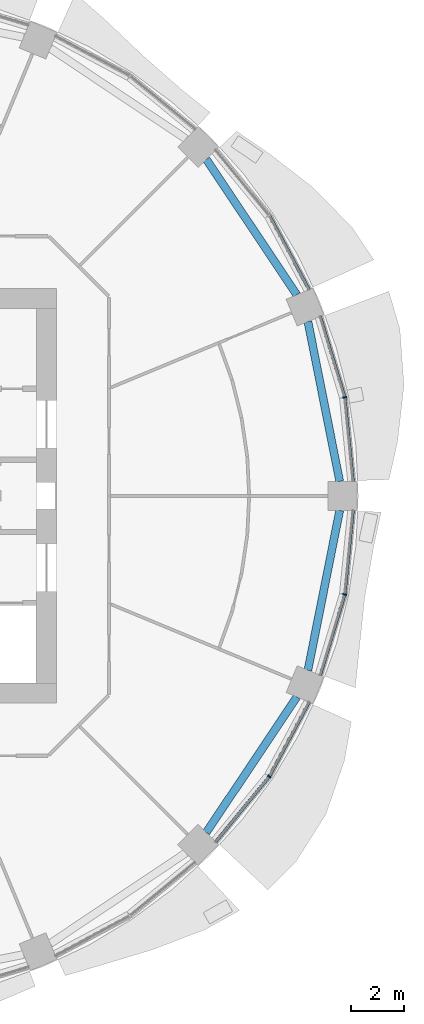
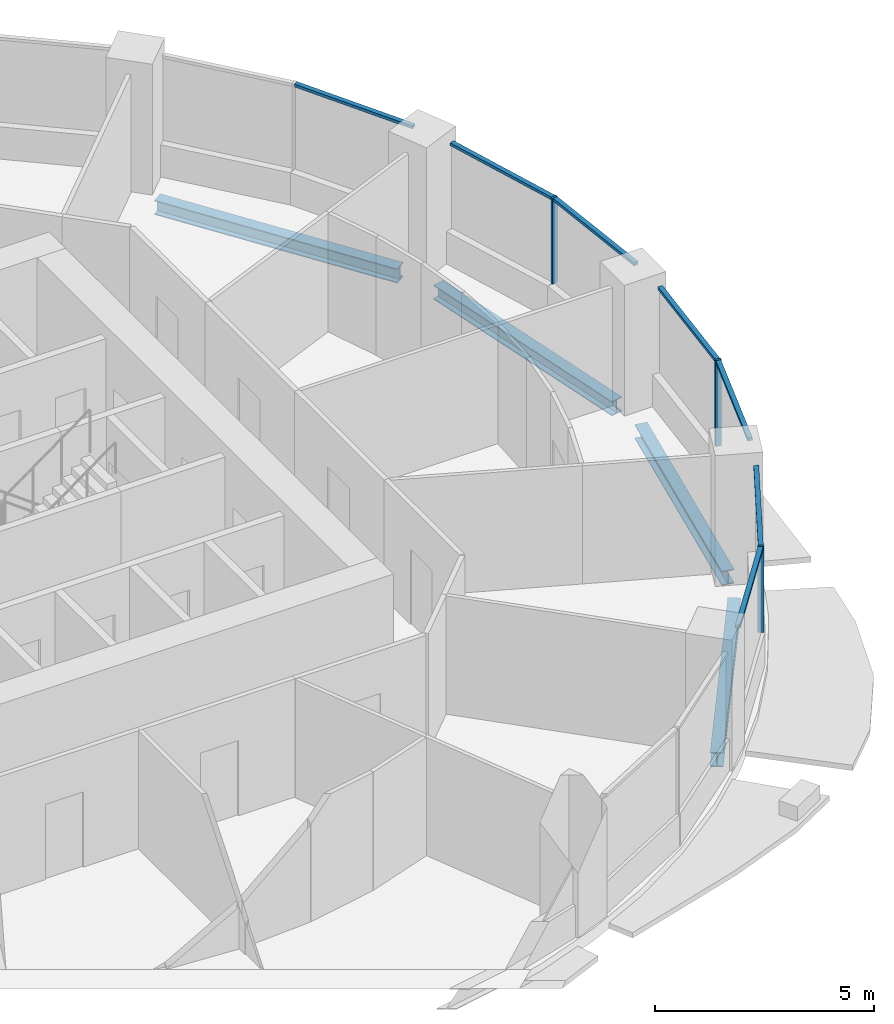
# One storey, part 4 of 14: 10 members, 4 beams, 4 elements without a shape of their own.
"""IFC4 building model written with IfcOpenShell, lengths in metres."""

from ifc_helpers import new_model, si_unit, direction, frame, origin, origin_2d, place, context, subcontext, project, spatial, rectangle, i_section, extrude, material, material_profile, profile_set, type_object, element, aggregate, save


model = new_model("IFC4")

# Units and contexts
model_context = context("Model", 3, precision=1e-05, world=origin(), true_north=direction((0.0, 1.0)))
body_context = subcontext(model_context, "Body", "Model", "MODEL_VIEW")
ifc_project = project(units=[si_unit("LENGTHUNIT", "METRE"), si_unit("AREAUNIT", "SQUARE_METRE"), si_unit("VOLUMEUNIT", "CUBIC_METRE"), si_unit("PLANEANGLEUNIT", "RADIAN"), si_unit("MASSUNIT", "GRAM", prefix="KILO")], contexts=[model_context])

# Site, building, storey
site_placement = place(None, origin())
site = spatial("IfcSite", under=ifc_project, at=site_placement, CompositionType="ELEMENT")
building_placement = place(site_placement, origin())
building = spatial("IfcBuilding", under=site, at=building_placement, Name="Polderwave Tower", CompositionType="ELEMENT")
storey_placement = place(building_placement, frame((0.0, 0.0, 91.0)))
storey = spatial("IfcBuildingStorey", under=building, at=storey_placement, Name="L23", CompositionType="ELEMENT", Elevation=91.0)

# Curtain wall, member
ifc_material_1 = material(Name="Aluminium 6063-T6 and glass", Category="aluminium")
curtain_wall_type = type_object("IfcCurtainWallType", Name="Growing floor ribbon glazing wall", PredefinedType="NOTDEFINED", material=ifc_material_1)
curtain_wall_1_placement = place(storey_placement, origin())
curtain_wall_1 = element("IfcCurtainWall", 1, at=curtain_wall_1_placement, inside=storey, type_object=curtain_wall_type, Name="CW2 L23 00", PredefinedType="NOTDEFINED")
ifc_material_2 = material(Name="Aluminium 6063-T6", Category="aluminium")
ifc_material_profile_1 = material_profile(ifc_material_2, rectangle(XDim=0.14990234375, YDim=0.06005859375, at=origin_2d()), Name="AL 60x150")
ifc_profile_set_1 = profile_set([ifc_material_profile_1], Name="Aluminium 6063-T6")
member_type_1 = type_object("IfcMemberType", Name="Growing floor ribbon glazing mullion 60x150", PredefinedType="MULLION", material=ifc_profile_set_1)
member_1_placement = place(storey_placement, frame((18.8310546875, 3.74609375, 0.89990234375), z_axis=(0.0, 0.0, 1.0), x_axis=(-0.980783918392, -0.195097169184, 0.0)))
member_1 = element("IfcMember", 2, at=member_1_placement, type_object=member_type_1, Name="CW2 mullion 1", PredefinedType="MULLION", context=body_context, shape_type="SweptSolid", body=[
    extrude(rectangle(XDim=0.14990234375, YDim=0.06005859375, at=origin_2d()), origin(), (0.0, 0.0, 1.0), 2.400146484375),
])

curtain_wall_2_placement = place(storey_placement, origin())
curtain_wall_2 = element("IfcCurtainWall", 3, at=curtain_wall_2_placement, inside=storey, type_object=curtain_wall_type, Name="CW2 L23 14", PredefinedType="NOTDEFINED")
member_2_placement = place(storey_placement, frame((15.964111328125, -10.6669921875, 0.89990234375), z_axis=(0.0, 0.0, 1.0), x_axis=(-0.831444400469, 0.555607963342, 0.0)))
member_2 = element("IfcMember", 4, at=member_2_placement, type_object=member_type_1, Name="CW2 mullion 1", PredefinedType="MULLION", context=body_context, shape_type="SweptSolid", body=[
    extrude(rectangle(XDim=0.14990234375, YDim=0.06005859375, at=origin_2d()), origin(), (0.0, 0.0, 1.0), 2.400146484375),
])

curtain_wall_3_placement = place(storey_placement, origin())
curtain_wall_3 = element("IfcCurtainWall", 5, at=curtain_wall_3_placement, inside=storey, type_object=curtain_wall_type, Name="CW2 L23 15", PredefinedType="NOTDEFINED")
member_3_placement = place(storey_placement, frame((18.8310546875, -3.74609375, 0.89990234375), z_axis=(0.0, 0.0, 1.0), x_axis=(-0.980783918392, 0.195097169184, 0.0)))
member_3 = element("IfcMember", 6, at=member_3_placement, type_object=member_type_1, Name="CW2 mullion 1", PredefinedType="MULLION", context=body_context, shape_type="SweptSolid", body=[
    extrude(rectangle(XDim=0.14990234375, YDim=0.06005859375, at=origin_2d()), origin(), (0.0, 0.0, 1.0), 2.400146484375),
])

# Member
ifc_material_profile_2 = material_profile(ifc_material_2, rectangle(XDim=0.1201171875, YDim=0.080078125, at=origin_2d()), Name="AL 80x120")
ifc_profile_set_2 = profile_set([ifc_material_profile_2], Name="Aluminium 6063-T6")
member_type_2 = type_object("IfcMemberType", Name="Growing floor ribbon glazing transom 80x120", PredefinedType="USERDEFINED", material=ifc_profile_set_2)
member_4_placement = place(storey_placement, frame((19.14599609375, 0.550048828125, 3.260009765625), z_axis=(-0.098075167681, 0.995179009769, 0.0), x_axis=(-0.995179009769, -0.098075167681, 0.0)))
member_4 = element("IfcMember", 7, at=member_4_placement, type_object=member_type_2, Name="CW2 transom 1", ObjectType="TRANSOM", PredefinedType="USERDEFINED", context=body_context, shape_type="SweptSolid", body=[
    extrude(rectangle(XDim=0.1201171875, YDim=0.080078125, at=origin_2d()), origin(), (0.0, 0.0, 1.0), 3.181396484375),
])

member_5_placement = place(storey_placement, frame((18.822265625, 3.774658203125, 3.260009765625), z_axis=(-0.290233155766, 0.95695596309, 0.0), x_axis=(-0.95695596309, -0.290233155766, 0.0)))
member_5 = element("IfcMember", 8, at=member_5_placement, type_object=member_type_2, Name="CW2 transom 2", ObjectType="TRANSOM", PredefinedType="USERDEFINED", context=body_context, shape_type="SweptSolid", body=[
    extrude(rectangle(XDim=0.1201171875, YDim=0.080078125, at=origin_2d()), origin(), (0.0, 0.0, 1.0), 3.181396484375),
])

aggregate(curtain_wall_1, [member_1, member_4, member_5])

# Curtain wall, member
curtain_wall_4_placement = place(storey_placement, origin())
curtain_wall_4 = element("IfcCurtainWall", 9, at=curtain_wall_4_placement, inside=storey, type_object=curtain_wall_type, Name="CW2 L23 01", PredefinedType="NOTDEFINED")
member_6_placement = place(storey_placement, frame((17.47802734375, 7.8349609375, 3.260009765625), z_axis=(-0.471512085827, 0.881859599323, 0.0), x_axis=(-0.881859599323, -0.471512085827, 0.0)))
member_6 = element("IfcMember", 10, at=member_6_placement, type_object=member_type_2, Name="CW2 transom 1", ObjectType="TRANSOM", PredefinedType="USERDEFINED", context=body_context, shape_type="SweptSolid", body=[
    extrude(rectangle(XDim=0.1201171875, YDim=0.080078125, at=origin_2d()), origin(), (0.0, 0.0, 1.0), 3.18115234375),
])
aggregate(curtain_wall_4, [member_6])

# Member
member_7_placement = place(storey_placement, frame((13.927001953125, -13.14892578125, 3.260009765625), z_axis=(0.634436573251, 0.772974924898, 0.0), x_axis=(-0.772974924898, 0.634436573251, 0.0)))
member_7 = element("IfcMember", 11, at=member_7_placement, type_object=member_type_2, Name="CW2 transom 1", ObjectType="TRANSOM", PredefinedType="USERDEFINED", context=body_context, shape_type="SweptSolid", body=[
    extrude(rectangle(XDim=0.1201171875, YDim=0.080078125, at=origin_2d()), origin(), (0.0, 0.0, 1.0), 3.180908203125),
])

member_8_placement = place(storey_placement, frame((15.97802734375, -10.640380859375, 3.260009765625), z_axis=(0.471512085827, 0.881859599323, 0.0), x_axis=(-0.881859599323, 0.471512085827, 0.0)))
member_8 = element("IfcMember", 12, at=member_8_placement, type_object=member_type_2, Name="CW2 transom 2", ObjectType="TRANSOM", PredefinedType="USERDEFINED", context=body_context, shape_type="SweptSolid", body=[
    extrude(rectangle(XDim=0.1201171875, YDim=0.080078125, at=origin_2d()), origin(), (0.0, 0.0, 1.0), 3.18115234375),
])

aggregate(curtain_wall_2, [member_2, member_7, member_8])

member_9_placement = place(storey_placement, frame((17.89892578125, -6.819091796875, 3.260009765625), z_axis=(0.290233155766, 0.95695596309, 0.0), x_axis=(-0.95695596309, 0.290233155766, 0.0)))
member_9 = element("IfcMember", 13, at=member_9_placement, type_object=member_type_2, Name="CW2 transom 1", ObjectType="TRANSOM", PredefinedType="USERDEFINED", context=body_context, shape_type="SweptSolid", body=[
    extrude(rectangle(XDim=0.1201171875, YDim=0.080078125, at=origin_2d()), origin(), (0.0, 0.0, 1.0), 3.181396484375),
])

member_10_placement = place(storey_placement, frame((18.833984375, -3.716064453125, 3.260009765625), z_axis=(0.098075167681, 0.995179009769, 0.0), x_axis=(-0.995179009769, 0.098075167681, 0.0)))
member_10 = element("IfcMember", 14, at=member_10_placement, type_object=member_type_2, Name="CW2 transom 2", ObjectType="TRANSOM", PredefinedType="USERDEFINED", context=body_context, shape_type="SweptSolid", body=[
    extrude(rectangle(XDim=0.1201171875, YDim=0.080078125, at=origin_2d()), origin(), (0.0, 0.0, 1.0), 3.181396484375),
])

aggregate(curtain_wall_3, [member_3, member_9, member_10])

# Beams
ifc_material_3 = material(Name="Steel S355", Category="steel")
ifc_material_profile_3 = material_profile(ifc_material_3, i_section(OverallWidth=0.300048828125, OverallDepth=0.39990234375, WebThickness=0.013427734375, FlangeThickness=0.02392578125, at=origin_2d()), Name="HE 400 B")
ifc_profile_set_3 = profile_set([ifc_material_profile_3], Name="Steel S355")
beam_type = type_object("IfcBeamType", Name="RING BEAM HE 400 B", PredefinedType="BEAM", material=ifc_profile_set_3)
for number, where, z_axis, x_axis, name in (
    (15, (18.640625, 0.550048828125, -0.550048828125), (-0.195100355977, 0.980783284471, 0.0), (-0.980783284471, -0.195100355977, 0.0), "ST-RB-L23-00"),
    (16, (17.01123046875, 7.6416015625, -0.550048828125), (-0.555573051966, 0.831467728736, 0.0), (-0.831467728736, -0.555573051966, 0.0), "ST-RB-L23-01"),
    (17, (13.56982421875, -12.7919921875, -0.550048828125), (0.555573051966, 0.831467728736, 0.0), (-0.831467728736, 0.555573051966, 0.0), "ST-RB-L23-14"),
    (18, (17.43212890625, -6.625244140625, -0.550048828125), (0.195100355977, 0.980783284471, 0.0), (-0.980783284471, 0.195100355977, 0.0), "ST-RB-L23-15"),
):
    element("IfcBeam", number, at=place(storey_placement, frame(where, z_axis=z_axis, x_axis=x_axis)), inside=storey, type_object=beam_type, Name=name, PredefinedType="BEAM", context=body_context, shape_type="SweptSolid", body=[
        extrude(i_section(OverallWidth=0.300048828125, OverallDepth=0.39990234375, WebThickness=0.013427734375, FlangeThickness=0.02392578125, at=origin_2d()), origin(), (0.0, 0.0, 1.0), 6.1943359375),
    ])

save(model, "model.ifc")
